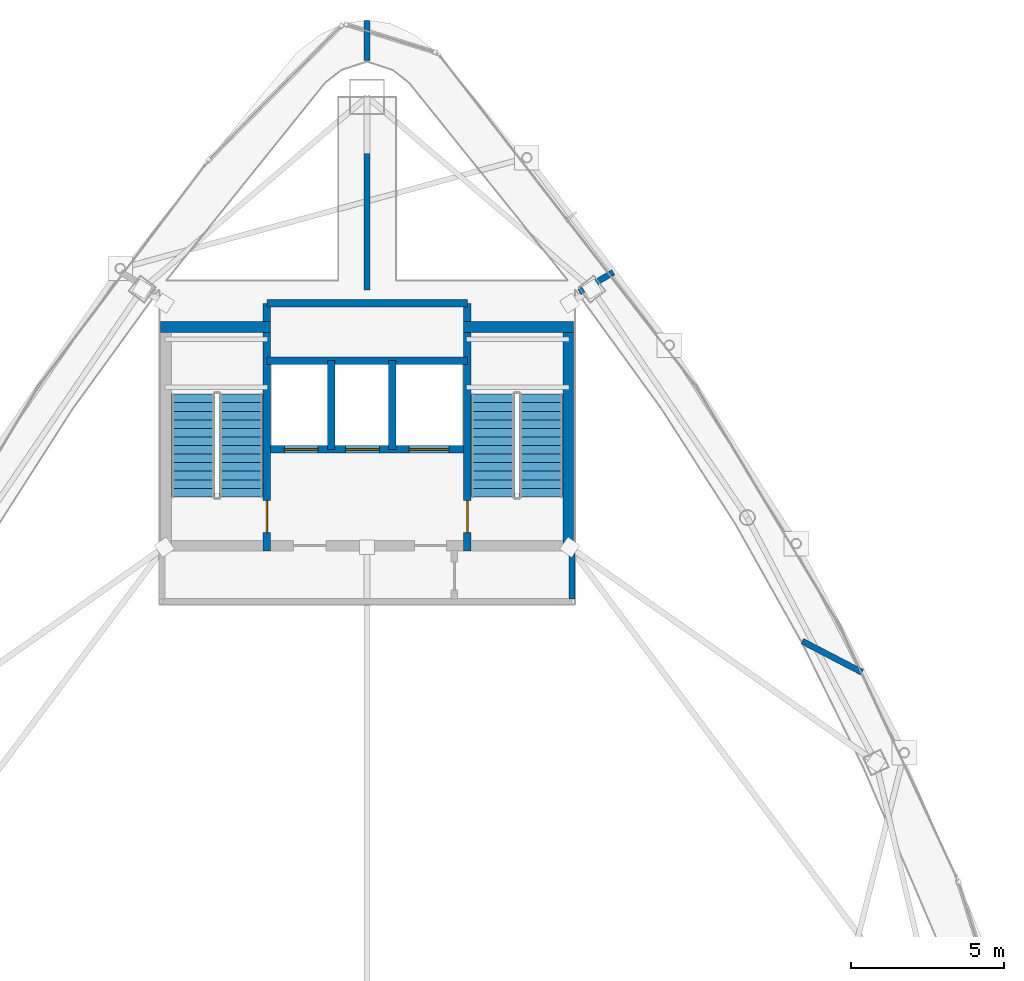
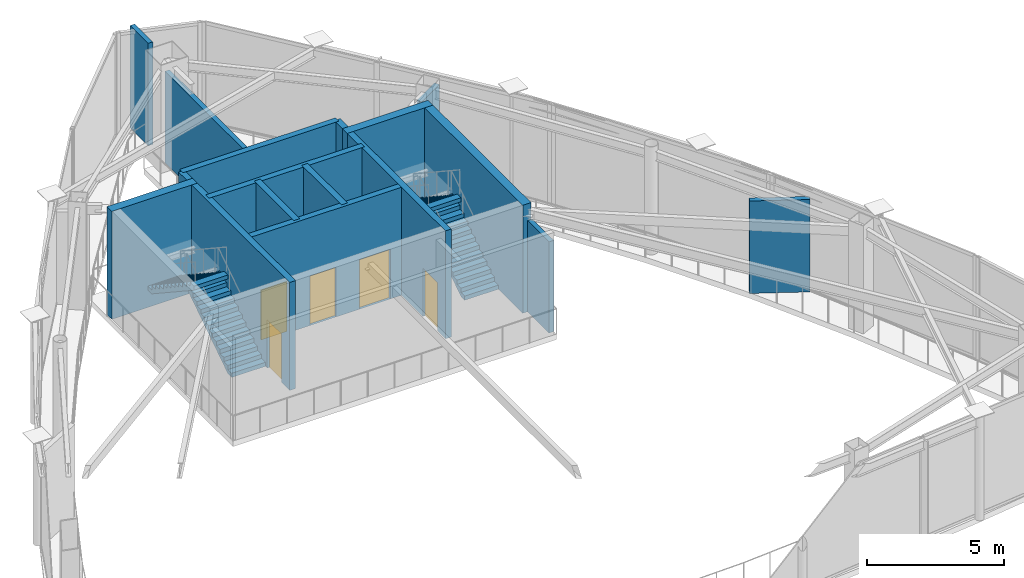
# One storey, part 17 of 20: 15 walls, 5 doors, 4 stair flights, 5 openings, 2 elements without a shape of their own.
"""IFC4 building model written with IfcOpenShell, lengths in metres."""

from ifc_helpers import new_model, si_unit, direction, frame, frame_2d, origin, place, context, subcontext, project, spatial, polyline, rectangle, outline, extrude, material, layer, layer_set, type_object, element, fill, aggregate, save


model = new_model("IFC4")

# Units and contexts
model_context = context("Model", 3, precision=1e-05, world=origin(), true_north=direction((0.0, 1.0)))
body_context = subcontext(model_context, "Body", "Model", "MODEL_VIEW")
ifc_project = project(units=[si_unit("LENGTHUNIT", "METRE"), si_unit("AREAUNIT", "SQUARE_METRE"), si_unit("VOLUMEUNIT", "CUBIC_METRE"), si_unit("PLANEANGLEUNIT", "RADIAN"), si_unit("MASSUNIT", "GRAM", prefix="KILO")], contexts=[model_context])

# Site, building, storey
site_placement = place(None, origin())
site = spatial("IfcSite", under=ifc_project, at=site_placement, CompositionType="ELEMENT")
building_placement = place(site_placement, origin())
building = spatial("IfcBuilding", under=site, at=building_placement, Name="Orvanel Arch Residences", CompositionType="ELEMENT")
storey_placement = place(building_placement, frame((0.0, 0.0, 300.5)))
storey = spatial("IfcBuildingStorey", under=building, at=storey_placement, Name="L84", CompositionType="ELEMENT", Elevation=300.5)

# Wall, opening, door
ifc_material_1 = material(Name="Concrete N50 (50 MPa)", Category="concrete")
ifc_layer_1 = layer(ifc_material_1, 0.25)
ifc_layer_set_1 = layer_set([ifc_layer_1], Name="Concrete N50 (50 MPa)")
wall_type_1 = type_object("IfcWallType", Name="SW-CORE-250", PredefinedType="SHEAR", material=ifc_layer_set_1)
wall_1_placement = place(storey_placement, frame((29.72509765625, 26.550048828125, 0.0), z_axis=(0.0, 0.0, 1.0), x_axis=(0.0, 1.0, 0.0)))
wall_1 = element("IfcWall", 1, at=wall_1_placement, inside=storey, type_object=wall_type_1, Name="L84 West Inner Core Spine Shear Wall", PredefinedType="SHEAR", context=body_context, shape_type="SweptSolid", body=[
    extrude(rectangle(XDim=8.099853515625, YDim=0.25, at=frame_2d((4.0498046875, 0.0))), origin(), (0.0, 0.0, 1.0), 4.800048828125),
])
opening_1_placement = place(wall_1_placement, frame((0.60009765625, 0.0, 0.0)))
opening_1 = element("IfcOpeningElement", 2, at=opening_1_placement, cuts=wall_1, Name="Opening DF-120", PredefinedType="OPENING", context=body_context, shape_type="SweptSolid", body=[
    extrude(rectangle(XDim=1.050048828125, YDim=2.14990234375, at=frame_2d((0.52490234375, 1.074951171875))), frame((0.0, 0.135009765625, 0.0), z_axis=(0.0, -1.0, 0.0), x_axis=(1.0, 0.0, 0.0)), (0.0, 0.0, 1.0), 0.27001953125),
])
ifc_material_2 = material(Name="Galvanised steel fire-resisting door assembly", Category="steel")
door_type_1 = type_object("IfcDoorType", Name="DR-FD120-1050", OperationType="NOTDEFINED", PredefinedType="DOOR", material=ifc_material_2)
door_1_placement = place(opening_1_placement, origin())
door_1 = element("IfcDoor", 3, at=door_1_placement, inside=storey, type_object=door_type_1, Name="DR-L84-ST1 L84 Stair 1 Fire Door", OperationType="SINGLE_SWING_LEFT", OverallHeight=2.14990234375, OverallWidth=1.050048828125, PredefinedType="DOOR", context=body_context, shape_type="SweptSolid", body=[
    extrude(rectangle(XDim=1.050048828125, YDim=2.14990234375, at=frame_2d((0.52490234375, 1.074951171875))), frame((0.0, 0.02490234375, 0.0), z_axis=(0.0, -1.0, 0.0), x_axis=(1.0, 0.0, 0.0)), (0.0, 0.0, 1.0), 0.050048828125),
])
fill(opening_1, door_1)

wall_2_placement = place(storey_placement, frame((36.27490234375, 26.550048828125, 0.0), z_axis=(0.0, 0.0, 1.0), x_axis=(0.0, 1.0, 0.0)))
wall_2 = element("IfcWall", 4, at=wall_2_placement, inside=storey, type_object=wall_type_1, Name="L84 East Inner Core Spine Shear Wall", PredefinedType="SHEAR", context=body_context, shape_type="SweptSolid", body=[
    extrude(rectangle(XDim=8.099853515625, YDim=0.25, at=frame_2d((4.0498046875, 0.0))), origin(), (0.0, 0.0, 1.0), 4.800048828125),
])
opening_2_placement = place(wall_2_placement, frame((0.60009765625, 0.0, 0.0)))
opening_2 = element("IfcOpeningElement", 5, at=opening_2_placement, cuts=wall_2, Name="Opening DF-120", PredefinedType="OPENING", context=body_context, shape_type="SweptSolid", body=[
    extrude(rectangle(XDim=1.050048828125, YDim=2.14990234375, at=frame_2d((0.52490234375, 1.074951171875))), frame((0.0, 0.135009765625, 0.0), z_axis=(0.0, -1.0, 0.0), x_axis=(1.0, 0.0, 0.0)), (0.0, 0.0, 1.0), 0.27001953125),
])
door_2_placement = place(opening_2_placement, origin())
door_2 = element("IfcDoor", 6, at=door_2_placement, inside=storey, type_object=door_type_1, Name="DR-L84-ST2 L84 Stair 2 Fire Door", OperationType="SINGLE_SWING_RIGHT", OverallHeight=2.14990234375, OverallWidth=1.050048828125, PredefinedType="DOOR", context=body_context, shape_type="SweptSolid", body=[
    extrude(rectangle(XDim=1.050048828125, YDim=2.14990234375, at=frame_2d((0.52490234375, 1.074951171875))), frame((0.0, 0.02490234375, 0.0), z_axis=(0.0, -1.0, 0.0), x_axis=(1.0, 0.0, 0.0)), (0.0, 0.0, 1.0), 0.050048828125),
])
fill(opening_2, door_2)

# Wall, openings, doors
wall_3_placement = place(storey_placement, frame((36.27490234375, 29.875, 0.0), z_axis=(0.0, 0.0, 1.0), x_axis=(-1.0, 0.0, 0.0)))
wall_3 = element("IfcWall", 7, at=wall_3_placement, inside=storey, type_object=wall_type_1, Name="L84 Emergency Lift Front Core Shear Wall", PredefinedType="SHEAR", context=body_context, shape_type="SweptSolid", body=[
    extrude(rectangle(XDim=6.5498046875, YDim=0.25, at=frame_2d((3.27490234375, 0.0))), origin(), (0.0, 0.0, 1.0), 4.800048828125),
])
opening_3_placement = place(wall_3_placement, frame((4.875, 0.0, 0.0)))
opening_3 = element("IfcOpeningElement", 8, at=opening_3_placement, cuts=wall_3, Name="Opening LD-110", PredefinedType="OPENING", context=body_context, shape_type="SweptSolid", body=[
    extrude(rectangle(XDim=1.10009765625, YDim=2.199951171875, at=frame_2d((0.550048828125, 1.10009765625))), frame((0.0, 0.135009765625, 0.0), z_axis=(0.0, -1.0, 0.0), x_axis=(1.0, 0.0, 0.0)), (0.0, 0.0, 1.0), 0.27001953125),
])
opening_4_placement = place(wall_3_placement, frame((2.875, 0.0, 0.0)))
opening_4 = element("IfcOpeningElement", 9, at=opening_4_placement, cuts=wall_3, Name="Opening LD-110", PredefinedType="OPENING", context=body_context, shape_type="SweptSolid", body=[
    extrude(rectangle(XDim=1.10009765625, YDim=2.199951171875, at=frame_2d((0.550048828125, 1.10009765625))), frame((0.0, 0.135009765625, 0.0), z_axis=(0.0, -1.0, 0.0), x_axis=(1.0, 0.0, 0.0)), (0.0, 0.0, 1.0), 0.27001953125),
])
opening_5_placement = place(wall_3_placement, frame((0.60009765625, 0.0, 0.0)))
opening_5 = element("IfcOpeningElement", 10, at=opening_5_placement, cuts=wall_3, Name="Opening LD-130", PredefinedType="OPENING", context=body_context, shape_type="SweptSolid", body=[
    extrude(rectangle(XDim=1.300048828125, YDim=2.199951171875, at=frame_2d((0.64990234375, 1.10009765625))), frame((0.0, 0.135009765625, 0.0), z_axis=(0.0, -1.0, 0.0), x_axis=(1.0, 0.0, 0.0)), (0.0, 0.0, 1.0), 0.27001953125),
])
door_type_2 = type_object("IfcDoorType", Name="DR-LFT-1100", OperationType="NOTDEFINED", PredefinedType="DOOR", material=ifc_material_2)
door_3_placement = place(opening_3_placement, origin())
door_3 = element("IfcDoor", 11, at=door_3_placement, inside=storey, type_object=door_type_2, Name="LD-F1-L84 L84 Lift F1 Sliding Landing Door", OperationType="DOUBLE_DOOR_SLIDING", OverallHeight=2.199951171875, OverallWidth=1.10009765625, PredefinedType="DOOR", context=body_context, shape_type="SweptSolid", body=[
    extrude(rectangle(XDim=1.10009765625, YDim=2.199951171875, at=frame_2d((0.550048828125, 1.10009765625))), frame((0.0, 0.02490234375, 0.0), z_axis=(0.0, -1.0, 0.0), x_axis=(1.0, 0.0, 0.0)), (0.0, 0.0, 1.0), 0.050048828125),
])
fill(opening_3, door_3)
door_4_placement = place(opening_4_placement, origin())
door_4 = element("IfcDoor", 12, at=door_4_placement, inside=storey, type_object=door_type_2, Name="LD-F2-L84 L84 Lift F2 Sliding Landing Door", OperationType="DOUBLE_DOOR_SLIDING", OverallHeight=2.199951171875, OverallWidth=1.10009765625, PredefinedType="DOOR", context=body_context, shape_type="SweptSolid", body=[
    extrude(rectangle(XDim=1.10009765625, YDim=2.199951171875, at=frame_2d((0.550048828125, 1.10009765625))), frame((0.0, 0.02490234375, 0.0), z_axis=(0.0, -1.0, 0.0), x_axis=(1.0, 0.0, 0.0)), (0.0, 0.0, 1.0), 0.050048828125),
])
fill(opening_4, door_4)
door_type_3 = type_object("IfcDoorType", Name="DR-LFT-1300", OperationType="NOTDEFINED", PredefinedType="DOOR", material=ifc_material_2)
door_5_placement = place(opening_5_placement, origin())
door_5 = element("IfcDoor", 13, at=door_5_placement, inside=storey, type_object=door_type_3, Name="LD-G1-L84 L84 Lift G1 Sliding Landing Door", OperationType="DOUBLE_DOOR_SLIDING", OverallHeight=2.199951171875, OverallWidth=1.300048828125, PredefinedType="DOOR", context=body_context, shape_type="SweptSolid", body=[
    extrude(rectangle(XDim=1.300048828125, YDim=2.199951171875, at=frame_2d((0.64990234375, 1.10009765625))), frame((0.0, 0.02490234375, 0.0), z_axis=(0.0, -1.0, 0.0), x_axis=(1.0, 0.0, 0.0)), (0.0, 0.0, 1.0), 0.050048828125),
])
fill(opening_5, door_5)

# Walls
wall_4_placement = place(storey_placement, frame((29.72509765625, 32.77490234375, 0.0), z_axis=(0.0, 0.0, 1.0), x_axis=(1.0, 0.0, 0.0)))
element("IfcWall", 14, at=wall_4_placement, inside=storey, type_object=wall_type_1, Name="L84 Emergency Lift Back Core Shear Wall", PredefinedType="SHEAR", context=body_context, shape_type="SweptSolid", body=[
    extrude(rectangle(XDim=6.5498046875, YDim=0.25, at=frame_2d((3.27490234375, 0.0))), origin(), (0.0, 0.0, 1.0), 4.800048828125),
])
for number, where, z_axis, x_axis, name in (
    (15, (31.824951171875, 29.875, 0.0), (0.0, 0.0, 1.0), (0.0, 1.0, 0.0), "L84 Emergency Lift Inter-Shaft Wall F12"),
    (16, (33.824951171875, 29.875, 0.0), (0.0, 0.0, 1.0), (0.0, 1.0, 0.0), "L84 Emergency Lift Inter-Shaft Wall F2G"),
):
    element("IfcWall", number, at=place(storey_placement, frame(where, z_axis=z_axis, x_axis=x_axis)), inside=storey, type_object=wall_type_1, Name=name, PredefinedType="SHEAR", context=body_context, shape_type="SweptSolid", body=[
        extrude(rectangle(XDim=2.89990234375, YDim=0.25, at=frame_2d((1.449951171875, 0.0))), origin(), (0.0, 0.0, 1.0), 4.800048828125),
    ])
wall_5_placement = place(storey_placement, frame((29.72509765625, 34.64990234375, 0.0), z_axis=(0.0, 0.0, 1.0), x_axis=(1.0, 0.0, 0.0)))
element("IfcWall", 17, at=wall_5_placement, inside=storey, type_object=wall_type_1, Name="L84 Core Service Band North Shear Wall", PredefinedType="SHEAR", context=body_context, shape_type="SweptSolid", body=[
    extrude(rectangle(XDim=6.5498046875, YDim=0.25, at=frame_2d((3.27490234375, 0.0))), origin(), (0.0, 0.0, 1.0), 4.800048828125),
])
ifc_layer_2 = layer(ifc_material_1, 0.35009765625)
ifc_layer_set_2 = layer_set([ifc_layer_2], Name="Concrete N50 (50 MPa)")
wall_type_2 = type_object("IfcWallType", Name="SW-CORE-350", PredefinedType="SHEAR", material=ifc_layer_set_2)
wall_6_placement = place(storey_placement, frame((26.25, 33.875, 0.0), z_axis=(0.0, 0.0, 1.0), x_axis=(1.0, 0.0, 0.0)))
element("IfcWall", 18, at=wall_6_placement, inside=storey, type_object=wall_type_2, Name="L84 West Stair North Shear Wall", PredefinedType="SHEAR", context=body_context, shape_type="SweptSolid", body=[
    extrude(rectangle(XDim=3.60009765625, YDim=0.35009765625, at=frame_2d((1.800048828125, 0.0))), origin(), (0.0, 0.0, 1.0), 4.800048828125),
])
wall_7_placement = place(storey_placement, frame((39.574951171875, 26.550048828125, 0.0), z_axis=(0.0, 0.0, 1.0), x_axis=(0.0, 1.0, 0.0)))
element("IfcWall", 19, at=wall_7_placement, inside=storey, type_object=wall_type_2, Name="L84 East Stair Shear Wall", PredefinedType="SHEAR", context=body_context, shape_type="SweptSolid", body=[
    extrude(rectangle(XDim=7.5, YDim=0.35009765625, at=frame_2d((3.75, 0.0))), origin(), (0.0, 0.0, 1.0), 4.800048828125),
])
wall_8_placement = place(storey_placement, frame((36.14990234375, 33.875, 0.0), z_axis=(0.0, 0.0, 1.0), x_axis=(1.0, 0.0, 0.0)))
element("IfcWall", 20, at=wall_8_placement, inside=storey, type_object=wall_type_2, Name="L84 East Stair North Shear Wall", PredefinedType="SHEAR", context=body_context, shape_type="SweptSolid", body=[
    extrude(rectangle(XDim=3.60009765625, YDim=0.35009765625, at=frame_2d((1.800048828125, 0.0))), origin(), (0.0, 0.0, 1.0), 4.800048828125),
])
ifc_material_3 = material(Name="Fire-rated plasterboard lined steel stud partition", Category="steel")
ifc_layer_3 = layer(ifc_material_3, 0.199951171875)
ifc_layer_set_3 = layer_set([ifc_layer_3], Name="Fire-rated plasterboard lined steel stud partition")
wall_type_3 = type_object("IfcWallType", Name="W-PLT-200", PredefinedType="PARTITIONING", material=ifc_layer_set_3)
wall_9_placement = place(storey_placement, frame((39.699951171875, 24.985107421875, 0.0), z_axis=(0.0, 0.0, 1.0), x_axis=(0.0, 1.0, 0.0)))
element("IfcWall", 21, at=wall_9_placement, inside=storey, type_object=wall_type_3, Name="L84 Crown Plant Apron East Wall", PredefinedType="PARTITIONING", context=body_context, shape_type="SweptSolid", body=[
    extrude(rectangle(XDim=1.56494140625, YDim=0.199951171875, at=frame_2d((0.782470703125, 0.0))), origin(), (0.0, 0.0, 1.0), 4.054931640625),
])
wall_10_placement = place(storey_placement, frame((33.0, 35.089111328125, 0.0), z_axis=(0.0, 0.0, 1.0), x_axis=(0.0, 1.0, 0.0)))
element("IfcWall", 22, at=wall_10_placement, inside=storey, type_object=wall_type_3, Name="L84 Crown Catwalk Smoke Baffle Wall 1", PredefinedType="PARTITIONING", context=body_context, shape_type="SweptSolid", body=[
    extrude(rectangle(XDim=6.269775390625, YDim=0.199951171875, at=frame_2d((3.134765625, 0.0))), origin(), (0.0, 0.0, 1.0), 4.054931640625),
])
wall_11_placement = place(storey_placement, frame((33.0, 42.58203125, 0.0), z_axis=(0.0, 0.0, 1.0), x_axis=(0.0, 1.0, 0.0)))
element("IfcWall", 23, at=wall_11_placement, inside=storey, type_object=wall_type_3, Name="L84 Crown Catwalk Smoke Baffle Wall 1", PredefinedType="PARTITIONING", context=body_context, shape_type="SweptSolid", body=[
    extrude(rectangle(XDim=1.31201171875, YDim=0.199951171875, at=frame_2d((0.656005859375, 0.0))), origin(), (0.0, 0.0, 1.0), 4.550048828125),
])
wall_12_placement = place(storey_placement, frame((47.220947265625, 23.60498046875, 0.0), z_axis=(0.0, 0.0, 1.0), x_axis=(0.887140685261, -0.461499084024, 0.0)))
element("IfcWall", 24, at=wall_12_placement, inside=storey, type_object=wall_type_3, Name="L84 Crown Catwalk Smoke Baffle Wall 3", PredefinedType="PARTITIONING", context=body_context, shape_type="SweptSolid", body=[
    extrude(rectangle(XDim=2.2060546875, YDim=0.199951171875, at=frame_2d((1.10302734375, 0.0))), origin(), (0.0, 0.0, 1.0), 4.10888671875),
])
wall_13_placement = place(storey_placement, frame((39.93896484375, 35.01708984375, 0.0), z_axis=(0.0, 0.0, 1.0), x_axis=(0.865191492793, 0.501441602581, 0.0)))
element("IfcWall", 25, at=wall_13_placement, inside=storey, type_object=wall_type_3, Name="L84 Crown Catwalk Smoke Baffle Wall 5", PredefinedType="PARTITIONING", context=body_context, shape_type="SweptSolid", body=[
    extrude(rectangle(XDim=1.281982421875, YDim=0.199951171875, at=frame_2d((0.64111328125, 0.0))), origin(), (0.0, 0.0, 1.0), 4.10888671875),
])

# Stair, stair flights
ifc_material_4 = material(Name="Precast concrete N50 (50 MPa)", Category="concrete")
stair_type = type_object("IfcStairType", Name="STR-DOG-184", PredefinedType="USERDEFINED", material=ifc_material_4)
stair_1_placement = place(storey_placement, origin())
stair_1 = element("IfcStair", 26, at=stair_1_placement, inside=storey, type_object=stair_type, Name="L84 Fire-Isolated Core Exit Stair 1", ObjectType="TWO_RETURN_STAIR", PredefinedType="USERDEFINED")
stair_flight_type_1 = type_object("IfcStairFlightType", Name="SFL-C1-184", PredefinedType="STRAIGHT", material=ifc_material_4)
stair_flight_1_placement = place(storey_placement, frame((28.889892578125, 28.320068359375, 0.0), z_axis=(0.0, 0.0, 1.0), x_axis=(0.0, 1.0, 0.0)))
stair_flight_1 = element("IfcStairFlight", 27, at=stair_flight_1_placement, type_object=stair_flight_type_1, Name="ST-1 flight 1", NumberOfRisers=13, NumberOfTreads=12, PredefinedType="STRAIGHT", RiserHeight=0.184615385, TreadLength=0.28, context=body_context, shape_type="SweptSolid", body=[
    extrude(outline(polyline([(0.0, 0.0), (0.0, 0.1845703125), (0.280029296875, 0.1845703125), (0.280029296875, 0.369140625), (0.56005859375, 0.369140625), (0.56005859375, 0.553955078125), (0.840087890625, 0.553955078125), (0.840087890625, 0.738525390625), (1.1201171875, 0.738525390625), (1.1201171875, 0.923095703125), (1.39990234375, 0.923095703125), (1.39990234375, 1.107666015625), (1.679931640625, 1.107666015625), (1.679931640625, 1.292236328125), (1.9599609375, 1.292236328125), (1.9599609375, 1.476806640625), (2.239990234375, 1.476806640625), (2.239990234375, 1.66162109375), (2.52001953125, 1.66162109375), (2.52001953125, 1.84619140625), (2.800048828125, 1.84619140625), (2.800048828125, 2.03076171875), (3.080078125, 2.03076171875), (3.080078125, 2.21533203125), (3.360107421875, 2.21533203125), (3.360107421875, 2.39990234375), (3.360107421875, 2.035888671875), (0.272216796875, 0.0), (0.0, 0.0)])), frame((0.0, 0.7099609375, 0.0), z_axis=(0.0, -1.0, 0.0), x_axis=(1.0, 0.0, 0.0)), (0.0, 0.0, 1.0), 1.419921875),
])
stair_flight_2_placement = place(storey_placement, frame((27.31005859375, 31.679931640625, 2.39990234375), z_axis=(0.0, 0.0, 1.0), x_axis=(0.0, -1.0, 0.0)))
stair_flight_2 = element("IfcStairFlight", 28, at=stair_flight_2_placement, type_object=stair_flight_type_1, Name="ST-1 flight 2", NumberOfRisers=13, NumberOfTreads=12, PredefinedType="STRAIGHT", RiserHeight=0.184615385, TreadLength=0.28, context=body_context, shape_type="SweptSolid", body=[
    extrude(outline(polyline([(0.0, 0.0), (0.0, 0.1845703125), (0.280029296875, 0.1845703125), (0.280029296875, 0.369140625), (0.56005859375, 0.369140625), (0.56005859375, 0.553955078125), (0.840087890625, 0.553955078125), (0.840087890625, 0.738525390625), (1.1201171875, 0.738525390625), (1.1201171875, 0.923095703125), (1.39990234375, 0.923095703125), (1.39990234375, 1.107666015625), (1.679931640625, 1.107666015625), (1.679931640625, 1.292236328125), (1.9599609375, 1.292236328125), (1.9599609375, 1.476806640625), (2.239990234375, 1.476806640625), (2.239990234375, 1.66162109375), (2.52001953125, 1.66162109375), (2.52001953125, 1.84619140625), (2.800048828125, 1.84619140625), (2.800048828125, 2.03076171875), (3.080078125, 2.03076171875), (3.080078125, 2.21533203125), (3.360107421875, 2.21533203125), (3.360107421875, 2.39990234375), (3.360107421875, 2.035888671875), (0.272216796875, 0.0), (0.0, 0.0)])), frame((0.0, 0.7099609375, 0.0), z_axis=(0.0, -1.0, 0.0), x_axis=(1.0, 0.0, 0.0)), (0.0, 0.0, 1.0), 1.419921875),
])
aggregate(stair_1, [stair_flight_1, stair_flight_2])

stair_2_placement = place(storey_placement, origin())
stair_2 = element("IfcStair", 29, at=stair_2_placement, inside=storey, type_object=stair_type, Name="L84 Fire-Isolated Core Exit Stair 2", ObjectType="TWO_RETURN_STAIR", PredefinedType="USERDEFINED")
stair_flight_type_2 = type_object("IfcStairFlightType", Name="SFL-C2-184", PredefinedType="STRAIGHT", material=ifc_material_4)
stair_flight_3_placement = place(storey_placement, frame((38.68994140625, 28.320068359375, 0.0), z_axis=(0.0, 0.0, 1.0), x_axis=(0.0, 1.0, 0.0)))
stair_flight_3 = element("IfcStairFlight", 30, at=stair_flight_3_placement, type_object=stair_flight_type_2, Name="ST-2 flight 1", NumberOfRisers=13, NumberOfTreads=12, PredefinedType="STRAIGHT", RiserHeight=0.184615385, TreadLength=0.28, context=body_context, shape_type="SweptSolid", body=[
    extrude(outline(polyline([(0.0, 0.0), (0.0, 0.1845703125), (0.280029296875, 0.1845703125), (0.280029296875, 0.369140625), (0.56005859375, 0.369140625), (0.56005859375, 0.553955078125), (0.840087890625, 0.553955078125), (0.840087890625, 0.738525390625), (1.1201171875, 0.738525390625), (1.1201171875, 0.923095703125), (1.39990234375, 0.923095703125), (1.39990234375, 1.107666015625), (1.679931640625, 1.107666015625), (1.679931640625, 1.292236328125), (1.9599609375, 1.292236328125), (1.9599609375, 1.476806640625), (2.239990234375, 1.476806640625), (2.239990234375, 1.66162109375), (2.52001953125, 1.66162109375), (2.52001953125, 1.84619140625), (2.800048828125, 1.84619140625), (2.800048828125, 2.03076171875), (3.080078125, 2.03076171875), (3.080078125, 2.21533203125), (3.360107421875, 2.21533203125), (3.360107421875, 2.39990234375), (3.360107421875, 2.035888671875), (0.272216796875, 0.0), (0.0, 0.0)])), frame((0.0, 0.7099609375, 0.0), z_axis=(0.0, -1.0, 0.0), x_axis=(1.0, 0.0, 0.0)), (0.0, 0.0, 1.0), 1.419921875),
])
stair_flight_4_placement = place(storey_placement, frame((37.110107421875, 31.679931640625, 2.39990234375), z_axis=(0.0, 0.0, 1.0), x_axis=(0.0, -1.0, 0.0)))
stair_flight_4 = element("IfcStairFlight", 31, at=stair_flight_4_placement, type_object=stair_flight_type_2, Name="ST-2 flight 2", NumberOfRisers=13, NumberOfTreads=12, PredefinedType="STRAIGHT", RiserHeight=0.184615385, TreadLength=0.28, context=body_context, shape_type="SweptSolid", body=[
    extrude(outline(polyline([(0.0, 0.0), (0.0, 0.1845703125), (0.280029296875, 0.1845703125), (0.280029296875, 0.369140625), (0.56005859375, 0.369140625), (0.56005859375, 0.553955078125), (0.840087890625, 0.553955078125), (0.840087890625, 0.738525390625), (1.1201171875, 0.738525390625), (1.1201171875, 0.923095703125), (1.39990234375, 0.923095703125), (1.39990234375, 1.107666015625), (1.679931640625, 1.107666015625), (1.679931640625, 1.292236328125), (1.9599609375, 1.292236328125), (1.9599609375, 1.476806640625), (2.239990234375, 1.476806640625), (2.239990234375, 1.66162109375), (2.52001953125, 1.66162109375), (2.52001953125, 1.84619140625), (2.800048828125, 1.84619140625), (2.800048828125, 2.03076171875), (3.080078125, 2.03076171875), (3.080078125, 2.21533203125), (3.360107421875, 2.21533203125), (3.360107421875, 2.39990234375), (3.360107421875, 2.035888671875), (0.272216796875, 0.0), (0.0, 0.0)])), frame((0.0, 0.7099609375, 0.0), z_axis=(0.0, -1.0, 0.0), x_axis=(1.0, 0.0, 0.0)), (0.0, 0.0, 1.0), 1.419921875),
])
aggregate(stair_2, [stair_flight_3, stair_flight_4])

save(model, "model.ifc")
